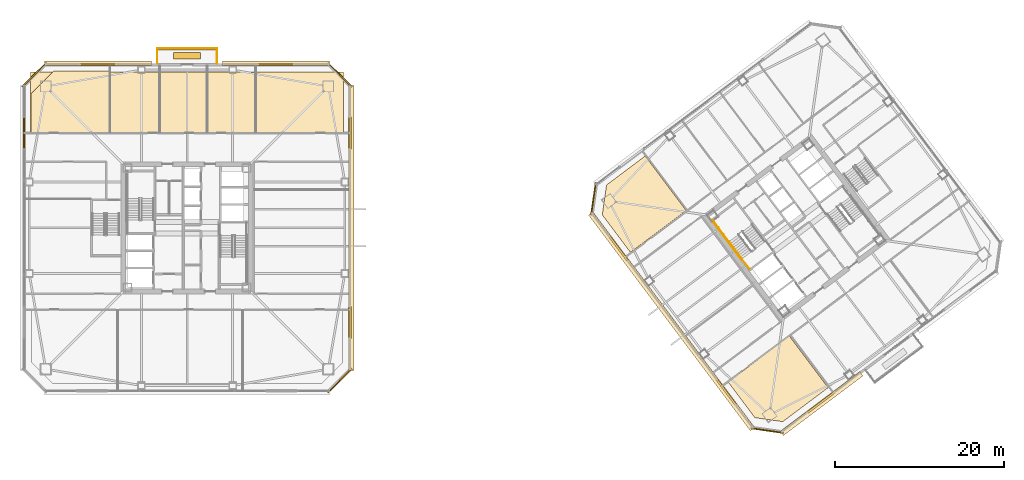
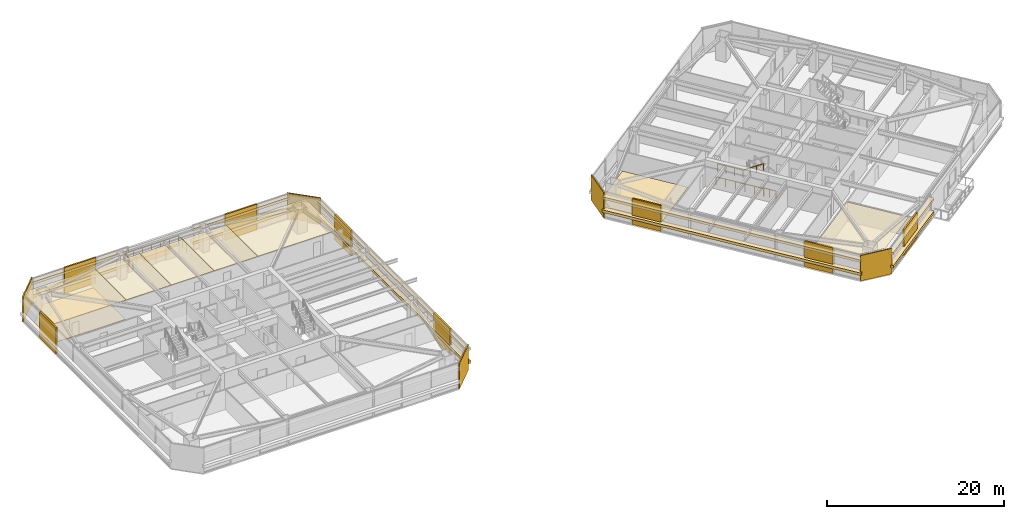
# One storey, part 44 of 46: 33 coverings, 7 railings.
"""IFC4 building model written with IfcOpenShell, lengths in metres."""

import ifcopenshell
import ifcopenshell.guid

model = None  # the IFC model being written
_history = None  # IfcOwnerHistory: only IFC2X3 demands one
_inside = {}  # id of a spatial element -> (the spatial element, [elements in it])
_under = {}  # id of a project, library or spatial element -> (it, [spatial elements below it])
_declared = {}  # id of a project -> (the project, [libraries it declares])
_typed = {}  # id of a type object -> (the type object, [elements of that type])
_made_of = {}  # id of a material, layer set ... -> (it, [elements and type objects made of it])


def new_model(schema):
    """Start an empty IFC model of exactly this schema.

    Asked for "IFC4X3", IfcOpenShell would pick the latest addendum, in which some entities
    have other attributes; the version numbers below select the first issue.
    IFC2X3 requires an IfcOwnerHistory on every rooted entity: one is made here for all.
    """
    global model, _history
    if schema == "IFC4X3":
        model = ifcopenshell.file(schema_version=(4, 3, 0, 0))
    else:
        model = ifcopenshell.file(schema=schema)
    _inside.clear()
    _under.clear()
    _declared.clear()
    _typed.clear()
    _made_of.clear()
    _history = None
    if model.schema == "IFC2X3":
        org = make("IfcOrganization", Name="unknown")
        user = make(
            "IfcPersonAndOrganization",
            ThePerson=make("IfcPerson", FamilyName="unknown"),
            TheOrganization=org,
        )
        app = make(
            "IfcApplication",
            ApplicationDeveloper=org,
            Version="unknown",
            ApplicationFullName="unknown",
            ApplicationIdentifier="unknown",
        )
        _history = make(
            "IfcOwnerHistory",
            OwningUser=user,
            OwningApplication=app,
            ChangeAction="ADDED",
            CreationDate=0,
        )
    return model


def make(cls, **values):
    """One entity of the class cls with the attributes given. An attribute that is None is left unset."""
    return model.create_entity(
        cls, **{name: value for name, value in values.items() if value is not None}
    )


def rooted(cls, **values):
    """An entity with a GlobalId (a new one), such as an element, a storey or a relation."""
    return make(cls, GlobalId=ifcopenshell.guid.new(), OwnerHistory=_history, **values)


def si_unit(unit_type, name, prefix=None):
    """IfcSIUnit, for example si_unit("LENGTHUNIT", "METRE", prefix="MILLI")."""
    return make("IfcSIUnit", UnitType=unit_type, Prefix=prefix, Name=name)


def assignment(units):
    """IfcUnitAssignment: the units of a project."""
    return None if units is None else make("IfcUnitAssignment", Units=units)


def point(xyz):
    """IfcCartesianPoint."""
    return None if xyz is None else make("IfcCartesianPoint", Coordinates=xyz)


def direction(xyz):
    """IfcDirection."""
    return None if xyz is None else make("IfcDirection", DirectionRatios=xyz)


def frame(location, z_axis=None, x_axis=None):
    """IfcAxis2Placement3D, a coordinate frame: its origin and axes. An axis left out is left unset."""
    return make(
        "IfcAxis2Placement3D",
        Location=point(location),
        Axis=direction(z_axis),
        RefDirection=direction(x_axis),
    )


def frame_2d(location, x_axis=None):
    """IfcAxis2Placement2D, a coordinate frame in the plane: its origin and x axis."""
    return make(
        "IfcAxis2Placement2D", Location=point(location), RefDirection=direction(x_axis)
    )


def origin():
    """The frame at (0, 0, 0) with its axes left unset."""
    return frame((0.0, 0.0, 0.0))


def origin_2d():
    """The frame at (0, 0) in the plane with its x axis left unset."""
    return frame_2d((0.0, 0.0))


def place(relative_to, where):
    """IfcLocalPlacement: puts the frame where relative to a parent placement (None: the world)."""
    return make(
        "IfcLocalPlacement", PlacementRelTo=relative_to, RelativePlacement=where
    )


def context(
    kind, dimensions, precision=None, world=None, true_north=None, identifier=None
):
    """IfcGeometricRepresentationContext, for example the 3D "Model" context."""
    return make(
        "IfcGeometricRepresentationContext",
        ContextIdentifier=identifier,
        ContextType=kind,
        CoordinateSpaceDimension=dimensions,
        Precision=precision,
        WorldCoordinateSystem=world,
        TrueNorth=true_north,
    )


def subcontext(parent, identifier, kind, view, scale=None):
    """IfcGeometricRepresentationSubContext, for example "Body" below "Model"."""
    return make(
        "IfcGeometricRepresentationSubContext",
        ContextIdentifier=identifier,
        ContextType=kind,
        ParentContext=parent,
        TargetScale=scale,
        TargetView=view,
    )


def project(units=None, contexts=None):
    """IfcProject with its units and contexts."""
    return rooted(
        "IfcProject",
        Name="project",
        RepresentationContexts=contexts,
        UnitsInContext=assignment(units),
    )


def spatial(cls, under=None, at=None, **own):
    """A site, building, storey or space (cls), placed at a placement, below another one or the project."""
    s = rooted(cls, ObjectPlacement=at, **own)
    if under is not None:
        _under.setdefault(under.id(), (under, []))[1].append(s)
    return s


def polyline(points):
    """IfcPolyline through the points."""
    return make("IfcPolyline", Points=[point(p) for p in points])


def profile(cls, at=None, kind="AREA", **sizes):
    """A parametric profile (cls). Its sizes go by their IFC names, for example OverallWidth=200.0."""
    return make(cls, ProfileType=kind, Position=at, **sizes)


def rectangle(**sizes):
    """IfcRectangleProfileDef."""
    return profile("IfcRectangleProfileDef", **sizes)


def outline(outer, holes=None, kind="AREA"):
    """IfcArbitraryClosedProfileDef: a profile drawn as a closed curve; with holes, ...WithVoids."""
    if holes is None:
        return make("IfcArbitraryClosedProfileDef", ProfileType=kind, OuterCurve=outer)
    return make(
        "IfcArbitraryProfileDefWithVoids",
        ProfileType=kind,
        OuterCurve=outer,
        InnerCurves=holes,
    )


def extrude(swept, where, along, depth):
    """IfcExtrudedAreaSolid: the profile swept, set in the frame where, extruded along a direction by depth."""
    return make(
        "IfcExtrudedAreaSolid",
        SweptArea=swept,
        Position=where,
        ExtrudedDirection=direction(along),
        Depth=depth,
    )


def shape(context_of_items, identifier, shape_type, items):
    """IfcShapeRepresentation: the items that make up one representation, for example the "Body"."""
    return make(
        "IfcShapeRepresentation",
        ContextOfItems=context_of_items,
        RepresentationIdentifier=identifier,
        RepresentationType=shape_type,
        Items=items,
    )


def material(Name=None, Category=None):
    """IfcMaterial."""
    return make("IfcMaterial", Name=Name, Category=Category)


def layer(
    of_material, thickness, ventilated=None, Name=None, Category=None, Priority=None
):
    """IfcMaterialLayer: one layer of a wall or slab, of a material (None: an air gap)."""
    return make(
        "IfcMaterialLayer",
        Material=of_material,
        LayerThickness=thickness,
        IsVentilated=ventilated,
        Name=Name,
        Category=Category,
        Priority=Priority,
    )


def layer_set(layers, Name=None):
    """IfcMaterialLayerSet."""
    return make("IfcMaterialLayerSet", MaterialLayers=layers, LayerSetName=Name)


def made_of(thing, what):
    """Note that an element or type object is made of a material, layer set ...; save() writes the relation."""
    if what is not None:
        _made_of.setdefault(what.id(), (what, []))[1].append(thing)
    return thing


def type_object(cls, material=None, **own):
    """A type object (cls), such as IfcWallType, which elements share."""
    return made_of(rooted(cls, **own), material)


def element(
    cls,
    number,
    at=None,
    inside=None,
    cuts=None,
    type_object=None,
    material=None,
    context=None,
    identifier="Body",
    shape_type=None,
    held_by="IfcProductDefinitionShape",
    body=None,
    shapes=None,
    **own,
):
    """One element of the class cls, such as IfcWall. Its Tag is "e" and its number.

    at: its placement. inside: the storey or other place that contains it. cuts: it is an
    opening in that element (IfcRelVoidsElement). A single representation is given by context,
    identifier, shape_type and body (its items); several are given by shapes. held_by: the class
    of the entity that holds the representations. save() writes the other relations.
    """
    e = rooted(cls, Tag="e%d" % number, ObjectPlacement=at, **own)
    if body is not None:
        shapes = [shape(context, identifier, shape_type, body)]
    if shapes is not None:
        e.Representation = make(held_by, Representations=shapes)
    if inside is not None:
        _inside.setdefault(inside.id(), (inside, []))[1].append(e)
    if cuts is not None:
        rooted(
            "IfcRelVoidsElement", RelatingBuildingElement=cuts, RelatedOpeningElement=e
        )
    if type_object is not None:
        _typed.setdefault(type_object.id(), (type_object, []))[1].append(e)
    return made_of(e, material)


def aggregate(whole, parts):
    """IfcRelAggregates: a whole, such as a stair, and the parts it consists of."""
    return rooted("IfcRelAggregates", RelatingObject=whole, RelatedObjects=parts)


def save(model, path):
    """Write the relations noted so far, then the file.

    IfcRelAggregates (storeys below a building ...), IfcRelContainedInSpatialStructure (elements
    in a storey), IfcRelDefinesByType, IfcRelAssociatesMaterial and IfcRelDeclares: one each for
    every whole, place, type object, material and project.
    """
    for whole, parts in _under.values():
        aggregate(whole, parts)
    for where, things in _inside.values():
        rooted(
            "IfcRelContainedInSpatialStructure",
            RelatedElements=things,
            RelatingStructure=where,
        )
    for kind, things in _typed.values():
        rooted("IfcRelDefinesByType", RelatedObjects=things, RelatingType=kind)
    for what, things in _made_of.values():
        rooted("IfcRelAssociatesMaterial", RelatedObjects=things, RelatingMaterial=what)
    for by, libraries in _declared.values():
        rooted("IfcRelDeclares", RelatingContext=by, RelatedDefinitions=libraries)
    model.write(path)


model = new_model("IFC4")

# Units and contexts
model_context = context("Model", 3, precision=1e-05, world=origin(), true_north=direction((0.0, 1.0)))
body_context = subcontext(model_context, "Body", "Model", "MODEL_VIEW")
ifc_project = project(units=[si_unit("LENGTHUNIT", "METRE"), si_unit("AREAUNIT", "SQUARE_METRE"), si_unit("VOLUMEUNIT", "CUBIC_METRE"), si_unit("PLANEANGLEUNIT", "RADIAN"), si_unit("MASSUNIT", "GRAM", prefix="KILO")], contexts=[model_context])

# Site, building, storey
site_placement = place(None, origin())
site = spatial("IfcSite", under=ifc_project, at=site_placement, CompositionType="ELEMENT")
building_placement = place(site_placement, origin())
building = spatial("IfcBuilding", under=site, at=building_placement, Name="Tashvorn Skyway Center", CompositionType="ELEMENT")
storey_placement = place(building_placement, frame((0.0, 0.0, 139.25)))
storey = spatial("IfcBuildingStorey", under=building, at=storey_placement, Name="L37", CompositionType="ELEMENT", Elevation=139.25)

# Coverings
ifc_material_1 = material(Name="Precast concrete C40/50", Category="concrete")
ifc_layer_1 = layer(ifc_material_1, 0.199951171875)
ifc_layer_set_1 = layer_set([ifc_layer_1], Name="Precast concrete C40/50")
covering_type_1 = type_object("IfcCoveringType", Name="COV-BRACE-CLAD", PredefinedType="CLADDING", material=ifc_layer_set_1)
covering_1_placement = place(storey_placement, frame((22.719970703125, 43.186767578125, 0.0), z_axis=(0.0, 0.0, 1.0), x_axis=(0.0, 1.0, 0.0)))
element("IfcCovering", 1, at=covering_1_placement, inside=storey, type_object=covering_type_1, Name="Tower 1 L37 West Unitised Curtain Wall Mega-Brace Cladding Band 2", PredefinedType="CLADDING", context=body_context, shape_type="SweptSolid", body=[
    extrude(rectangle(XDim=3.72900390625, YDim=0.199951171875, at=origin_2d()), origin(), (0.0, 0.0, 1.0), 3.550048828125),
])
for number, where, z_axis, x_axis, name in (
    (2, (31.485107421875, 51.280029296875, 0.0), (0.0, 0.0, 1.0), (1.0, 0.0, 0.0), "Tower 1 L37 North Curtain Wall L Mega-Brace Cladding Band 1"),
    (3, (52.514892578125, 51.280029296875, 0.0), (0.0, 0.0, 1.0), (1.0, 0.0, 0.0), "Tower 1 L37 North Curtain Wall R Mega-Brace Cladding Band 1"),
):
    element("IfcCovering", number, at=place(storey_placement, frame(where, z_axis=z_axis, x_axis=x_axis)), inside=storey, type_object=covering_type_1, Name=name, PredefinedType="CLADDING", context=body_context, shape_type="SweptSolid", body=[
        extrude(rectangle(XDim=4.176513671875, YDim=0.199951171875, at=origin_2d()), origin(), (0.0, 0.0, 1.0), 3.550048828125),
    ])
for number, where, z_axis, x_axis, name in (
    (4, (61.280029296875, 43.186767578125, 0.0), (0.0, 0.0, 1.0), (0.0, -1.0, 0.0), "Tower 1 L37 East Unitised Curtain Wall Mega-Brace Cladding Band 1"),
    (5, (61.280029296875, 20.813232421875, 0.0), (0.0, 0.0, 1.0), (0.0, -1.0, 0.0), "Tower 1 L37 East Unitised Curtain Wall Mega-Brace Cladding Band 2"),
):
    element("IfcCovering", number, at=place(storey_placement, frame(where, z_axis=z_axis, x_axis=x_axis)), inside=storey, type_object=covering_type_1, Name=name, PredefinedType="CLADDING", context=body_context, shape_type="SweptSolid", body=[
        extrude(rectangle(XDim=3.72900390625, YDim=0.199951171875, at=origin_2d()), origin(), (0.0, 0.0, 1.0), 3.550048828125),
    ])
covering_2_placement = place(storey_placement, frame((116.916015625, 11.3369140625, 0.0), z_axis=(0.0, 0.0, 1.0), x_axis=(-0.799999996291, -0.600000004945, 0.0)))
element("IfcCovering", 6, at=covering_2_placement, inside=storey, type_object=covering_type_1, Name="Tower 2 L37 South Curtain Wall R Mega-Brace Cladding Band 1", PredefinedType="CLADDING", context=body_context, shape_type="SweptSolid", body=[
    extrude(rectangle(XDim=3.876708984375, YDim=0.199951171875, at=origin_2d()), origin(), (0.0, 0.0, 1.0), 3.550048828125),
])
for number, where, z_axis, x_axis, name in (
    (7, (105.72802734375, 12.562744140625, 0.0), (0.0, 0.0, 1.0), (-0.600000004945, 0.799999996291, 0.0), "Tower 2 L37 West Unitised Curtain Wall Mega-Brace Cladding Band 1"),
    (8, (93.02392578125, 29.50146484375, 0.0), (0.0, 0.0, 1.0), (-0.600000004945, 0.799999996291, 0.0), "Tower 2 L37 West Unitised Curtain Wall Mega-Brace Cladding Band 2"),
):
    element("IfcCovering", number, at=place(storey_placement, frame(where, z_axis=z_axis, x_axis=x_axis)), inside=storey, type_object=covering_type_1, Name=name, PredefinedType="CLADDING", context=body_context, shape_type="SweptSolid", body=[
        extrude(rectangle(XDim=3.52880859375, YDim=0.199951171875, at=origin_2d()), origin(), (0.0, 0.0, 1.0), 3.550048828125),
    ])
ifc_material_2 = material(Name="Mineral-fibre acoustic ceiling tile on suspended grid")
ifc_layer_2 = layer(ifc_material_2, 0.02001953125)
ifc_layer_set_2 = layer_set([ifc_layer_2], Name="Mineral-fibre acoustic ceiling tile on suspended grid")
covering_type_2 = type_object("IfcCoveringType", Name="COV-CEIL-20", PredefinedType="CEILING", material=ifc_layer_set_2)
covering_3_placement = place(storey_placement, frame((0.0, 0.0, 2.702880859375)))
element("IfcCovering", 9, at=covering_3_placement, inside=storey, type_object=covering_type_2, Name="Tower 1 L37 Research Library Acoustic Ceiling", PredefinedType="CEILING", context=body_context, shape_type="SweptSolid", body=[
    extrude(outline(polyline([(23.5, 43.199951171875), (32.89990234375, 43.199951171875), (32.89990234375, 50.39990234375), (23.5, 50.39990234375), (23.5, 43.199951171875)])), origin(), (0.0, 0.0, 1.0), 0.02001953125),
])
covering_4_placement = place(storey_placement, frame((0.0, 0.0, 2.702880859375)))
element("IfcCovering", 10, at=covering_4_placement, inside=storey, type_object=covering_type_2, Name="Tower 1 L37 Research Library Acoustic Ceiling", PredefinedType="CEILING", context=body_context, shape_type="SweptSolid", body=[
    extrude(outline(polyline([(32.89990234375, 43.199951171875), (38.800048828125, 43.199951171875), (38.800048828125, 50.39990234375), (32.89990234375, 50.39990234375), (32.89990234375, 43.199951171875)])), origin(), (0.0, 0.0, 1.0), 0.02001953125),
])
covering_5_placement = place(storey_placement, frame((0.0, 0.0, 2.702880859375)))
element("IfcCovering", 11, at=covering_5_placement, inside=storey, type_object=covering_type_2, Name="Tower 1 L37 Security Control Room Acoustic Ceiling", PredefinedType="CEILING", context=body_context, shape_type="SweptSolid", body=[
    extrude(outline(polyline([(38.800048828125, 43.199951171875), (44.39990234375, 43.199951171875), (44.39990234375, 50.39990234375), (38.800048828125, 50.39990234375), (38.800048828125, 43.199951171875)])), origin(), (0.0, 0.0, 1.0), 0.02001953125),
])
covering_6_placement = place(storey_placement, frame((0.0, 0.0, 2.702880859375)))
element("IfcCovering", 12, at=covering_6_placement, inside=storey, type_object=covering_type_2, Name="Tower 1 L37 Research Library Acoustic Ceiling", PredefinedType="CEILING", context=body_context, shape_type="SweptSolid", body=[
    extrude(outline(polyline([(44.39990234375, 43.199951171875), (50.10009765625, 43.199951171875), (50.10009765625, 50.39990234375), (44.39990234375, 50.39990234375), (44.39990234375, 43.199951171875)])), origin(), (0.0, 0.0, 1.0), 0.02001953125),
])
covering_7_placement = place(storey_placement, frame((0.0, 0.0, 2.702880859375)))
element("IfcCovering", 13, at=covering_7_placement, inside=storey, type_object=covering_type_2, Name="Tower 1 L37 Research Library Acoustic Ceiling", PredefinedType="CEILING", context=body_context, shape_type="SweptSolid", body=[
    extrude(outline(polyline([(50.10009765625, 43.199951171875), (60.5, 43.199951171875), (60.5, 50.39990234375), (50.10009765625, 50.39990234375), (50.10009765625, 43.199951171875)])), origin(), (0.0, 0.0, 1.0), 0.02001953125),
])
covering_8_placement = place(storey_placement, frame((0.0, 0.0, 2.702880859375)))
element("IfcCovering", 14, at=covering_8_placement, inside=storey, type_object=covering_type_2, Name="Tower 2 L37 Research Library Acoustic Ceiling", PredefinedType="CEILING", context=body_context, shape_type="SweptSolid", body=[
    extrude(outline(polyline([(105.951904296875, 13.763916015625), (113.199951171875, 19.199951171875), (117.77197265625, 13.10400390625), (112.412109375, 9.083984375), (109.10791015625, 9.555908203125), (105.951904296875, 13.763916015625)])), origin(), (0.0, 0.0, 1.0), 0.02001953125),
])
ifc_material_3 = material(Name="Polished Mojave desert-aggregate terrazzo and cover plate")
ifc_layer_3 = layer(ifc_material_3, 0.0400390625)
ifc_layer_set_3 = layer_set([ifc_layer_3], Name="Polished Mojave desert-aggregate terrazzo and cover plate")
covering_type_3 = type_object("IfcCoveringType", Name="COV-FLR-40", PredefinedType="FLOORING", material=ifc_layer_set_3)
covering_9_placement = place(storey_placement, origin())
element("IfcCovering", 15, at=covering_9_placement, inside=storey, type_object=covering_type_3, Name="Tower 1 L37 Research Library Finish Flooring", PredefinedType="FLOORING", context=body_context, shape_type="SweptSolid", body=[
    extrude(outline(polyline([(32.820068359375, 43.280029296875), (23.580078125, 43.280029296875), (23.580078125, 47.8798828125), (26.199951171875, 50.5), (32.820068359375, 50.5), (32.820068359375, 43.280029296875)])), origin(), (0.0, 0.0, 1.0), 0.0400390625),
])
covering_10_placement = place(storey_placement, origin())
element("IfcCovering", 16, at=covering_10_placement, inside=storey, type_object=covering_type_3, Name="Tower 2 L37 Research Library Finish Flooring", PredefinedType="FLOORING", context=body_context, shape_type="SweptSolid", body=[
    extrude(outline(polyline([(100.998046875, 34.035888671875), (94.406005859375, 29.092041015625), (91.075927734375, 33.531982421875), (91.580078125, 37.06005859375), (96.156005859375, 40.491943359375), (100.998046875, 34.035888671875)])), origin(), (0.0, 0.0, 1.0), 0.0400390625),
])
ifc_material_4 = material(Name="Perforated ceramic-coated bronze aluminium solar screen", Category="aluminium")
ifc_layer_4 = layer(ifc_material_4, 0.85009765625)
ifc_layer_set_4 = layer_set([ifc_layer_4], Name="Perforated ceramic-coated bronze aluminium solar screen")
covering_type_4 = type_object("IfcCoveringType", Name="COV-SOLAR-BAND", PredefinedType="CLADDING", material=ifc_layer_set_4)
for number, where, z_axis, x_axis, name in (
    (17, (31.485107421875, 51.419921875, 0.919921875), (0.0, 0.0, 1.0), (1.0, 0.0, 0.0), "L37 Perforated Ceramic-Metal Solar Screen Louvre Band North 1"),
    (18, (31.485107421875, 51.419921875, 2.7197265625), (0.0, 0.0, 1.0), (1.0, 0.0, 0.0), "L37 Perforated Ceramic-Metal Solar Screen Louvre Band North 2"),
    (19, (52.514892578125, 51.419921875, 0.919921875), (0.0, 0.0, 1.0), (1.0, 0.0, 0.0), "L37 Perforated Ceramic-Metal Solar Screen Louvre Band North 1"),
    (20, (52.514892578125, 51.419921875, 2.7197265625), (0.0, 0.0, 1.0), (1.0, 0.0, 0.0), "L37 Perforated Ceramic-Metal Solar Screen Louvre Band North 2"),
):
    element("IfcCovering", number, at=place(storey_placement, frame(where, z_axis=z_axis, x_axis=x_axis)), inside=storey, type_object=covering_type_4, Name=name, PredefinedType="CLADDING", context=body_context, shape_type="SweptSolid", body=[
        extrude(rectangle(XDim=12.64990234375, YDim=0.639892578125, at=origin_2d()), origin(), (0.0, 0.0, 1.0), 0.360107421875),
    ])
for number, where, z_axis, x_axis, name in (
    (21, (61.419921875, 32.0, 0.919921875), (0.0, 0.0, 1.0), (0.0, -1.0, 0.0), "L37 Perforated Ceramic-Metal Solar Screen Louvre Band East 1"),
    (22, (61.419921875, 32.0, 2.7197265625), (0.0, 0.0, 1.0), (0.0, -1.0, 0.0), "L37 Perforated Ceramic-Metal Solar Screen Louvre Band East 2"),
):
    element("IfcCovering", number, at=place(storey_placement, frame(where, z_axis=z_axis, x_axis=x_axis)), inside=storey, type_object=covering_type_4, Name=name, PredefinedType="CLADDING", context=body_context, shape_type="SweptSolid", body=[
        extrude(rectangle(XDim=33.679931640625, YDim=0.639892578125, at=origin_2d()), origin(), (0.0, 0.0, 1.0), 0.360107421875),
    ])
for number, where, z_axis, x_axis, name in (
    (23, (117.0, 11.22509765625, 0.919921875), (0.0, 0.0, 1.0), (-0.799999996291, -0.600000004945, 0.0), "L37 Perforated Ceramic-Metal Solar Screen Louvre Band South 1"),
    (24, (117.0, 11.22509765625, 2.7197265625), (0.0, 0.0, 1.0), (-0.799999996291, -0.600000004945, 0.0), "L37 Perforated Ceramic-Metal Solar Screen Louvre Band South 2"),
):
    element("IfcCovering", number, at=place(storey_placement, frame(where, z_axis=z_axis, x_axis=x_axis)), inside=storey, type_object=covering_type_4, Name=name, PredefinedType="CLADDING", context=body_context, shape_type="SweptSolid", body=[
        extrude(rectangle(XDim=11.75, YDim=0.639892578125, at=origin_2d()), origin(), (0.0, 0.0, 1.0), 0.360107421875),
    ])
for number, where, z_axis, x_axis, name in (
    (25, (99.263916015625, 20.947998046875, 0.919921875), (0.0, 0.0, 1.0), (-0.600000004945, 0.799999996291, 0.0), "L37 Perforated Ceramic-Metal Solar Screen Louvre Band West 1"),
    (26, (99.263916015625, 20.947998046875, 2.7197265625), (0.0, 0.0, 1.0), (-0.600000004945, 0.799999996291, 0.0), "L37 Perforated Ceramic-Metal Solar Screen Louvre Band West 2"),
):
    element("IfcCovering", number, at=place(storey_placement, frame(where, z_axis=z_axis, x_axis=x_axis)), inside=storey, type_object=covering_type_4, Name=name, PredefinedType="CLADDING", context=body_context, shape_type="SweptSolid", body=[
        extrude(rectangle(XDim=31.8798828125, YDim=0.639892578125, at=origin_2d()), origin(), (0.0, 0.0, 1.0), 0.360107421875),
    ])
ifc_layer_5 = layer(ifc_material_1, 0.35009765625)
ifc_layer_set_5 = layer_set([ifc_layer_5], Name="Precast concrete C40/50")
covering_type_5 = type_object("IfcCoveringType", Name="COV-STONE-TRIM", PredefinedType="CLADDING", material=ifc_layer_set_5)
covering_11_placement = place(storey_placement, frame((42.0, 53.159912109375, -0.16015625), z_axis=(0.0, 0.0, 1.0), x_axis=(1.0, 0.0, 0.0)))
element("IfcCovering", 27, at=covering_11_placement, inside=storey, type_object=covering_type_5, Name="Tower 1 L37 Spiral Terrace Terracotta Fascia", PredefinedType="CLADDING", context=body_context, shape_type="SweptSolid", body=[
    extrude(rectangle(XDim=7.199951171875, YDim=0.280029296875, at=origin_2d()), origin(), (0.0, 0.0, 1.0), 0.280029296875),
])
covering_12_placement = place(storey_placement, frame((42.0, 52.35009765625, 0.0), z_axis=(0.0, 0.0, 1.0), x_axis=(1.0, 0.0, 0.0)))
element("IfcCovering", 28, at=covering_12_placement, inside=storey, type_object=covering_type_5, Name="Tower 1 L37 Spiral Terrace Planter", PredefinedType="CLADDING", context=body_context, shape_type="SweptSolid", body=[
    extrude(rectangle(XDim=3.199951171875, YDim=0.75, at=origin_2d()), origin(), (0.0, 0.0, 1.0), 0.679931640625),
])
for number, where, z_axis, x_axis, name in (
    (29, (23.929931640625, 50.070068359375, 0.02001953125), (0.0, 0.0, 1.0), (-0.707106781187, -0.707106781187, 0.0), "Tower 1 L37 NW Mojave Limestone Corner Quoin"),
    (30, (60.070068359375, 50.070068359375, 0.02001953125), (0.0, 0.0, 1.0), (0.707106781187, -0.707106781187, 0.0), "Tower 1 L37 NE Mojave Limestone Corner Quoin"),
    (31, (60.070068359375, 13.929931640625, 0.02001953125), (0.0, 0.0, 1.0), (0.707106781187, 0.707106781187, 0.0), "Tower 1 L37 SE Mojave Limestone Corner Quoin"),
):
    element("IfcCovering", number, at=place(storey_placement, frame(where, z_axis=z_axis, x_axis=x_axis)), inside=storey, type_object=covering_type_5, Name=name, PredefinedType="CLADDING", context=body_context, shape_type="SweptSolid", body=[
        extrude(rectangle(XDim=3.978515625, YDim=0.139892578125, at=origin_2d()), origin(), (0.0, 0.0, 1.0), 3.510009765625),
    ])
for number, where, z_axis, x_axis, name in (
    (32, (110.575927734375, 8.031982421875, 0.02001953125), (0.0, 0.0, 1.0), (-0.989949494535, 0.141421350118, 0.0), "Tower 2 L37 SW Mojave Limestone Corner Quoin"),
    (33, (90.031982421875, 35.424072265625, 0.02001953125), (0.0, 0.0, 1.0), (-0.141421350118, -0.989949494535, 0.0), "Tower 2 L37 NW Mojave Limestone Corner Quoin"),
):
    element("IfcCovering", number, at=place(storey_placement, frame(where, z_axis=z_axis, x_axis=x_axis)), inside=storey, type_object=covering_type_5, Name=name, PredefinedType="CLADDING", context=body_context, shape_type="SweptSolid", body=[
        extrude(rectangle(XDim=3.8369140625, YDim=0.139892578125, at=origin_2d()), origin(), (0.0, 0.0, 1.0), 3.510009765625),
    ])

# Railings
ifc_material_5 = material(Name="Galvanized steel S355", Category="steel")
railing_type_1 = type_object("IfcRailingType", Name="RAIL-GUARD-1120", PredefinedType="GUARDRAIL", material=ifc_material_5)
railing_1_placement = place(storey_placement, frame((38.47998046875, 51.39990234375, 0.0)))
element("IfcRailing", 34, at=railing_1_placement, inside=storey, type_object=railing_type_1, Name="L37 Tower 1 Terrace Guardrail 01", PredefinedType="GUARDRAIL", context=body_context, shape_type="SweptSolid", body=[
    extrude(rectangle(XDim=0.048095703125, YDim=0.048095703125, at=origin_2d()), frame((0.0, 0.0, 1.09619140625), z_axis=(0.0, 1.0, 0.0), x_axis=(-1.0, 0.0, 0.0)), (0.0, 0.0, 1.0), 1.820068359375),
    extrude(rectangle(XDim=0.0419921875, YDim=0.0419921875, at=origin_2d()), origin(), (0.0, 0.0, 1.0), 1.072021484375),
    extrude(rectangle(XDim=0.0419921875, YDim=0.0419921875, at=origin_2d()), frame((0.0, 0.91015625, 0.0)), (0.0, 0.0, 1.0), 1.072021484375),
    extrude(rectangle(XDim=0.0419921875, YDim=0.0419921875, at=origin_2d()), frame((0.0, 1.820068359375, 0.0)), (0.0, 0.0, 1.0), 1.072021484375),
])
railing_2_placement = place(storey_placement, frame((38.47998046875, 53.219970703125, 0.0)))
element("IfcRailing", 35, at=railing_2_placement, inside=storey, type_object=railing_type_1, Name="L37 Tower 1 Terrace Guardrail 02", PredefinedType="GUARDRAIL", context=body_context, shape_type="SweptSolid", body=[
    extrude(rectangle(XDim=0.048095703125, YDim=0.048095703125, at=origin_2d()), frame((0.0, 0.0, 1.09619140625), z_axis=(1.0, 0.0, 0.0), x_axis=(0.0, 1.0, 0.0)), (0.0, 0.0, 1.0), 7.0400390625),
    extrude(rectangle(XDim=0.0419921875, YDim=0.0419921875, at=origin_2d()), origin(), (0.0, 0.0, 1.0), 1.072021484375),
    extrude(rectangle(XDim=0.0419921875, YDim=0.0419921875, at=origin_2d()), frame((1.17333984375, 0.0, 0.0)), (0.0, 0.0, 1.0), 1.072021484375),
    extrude(rectangle(XDim=0.0419921875, YDim=0.0419921875, at=origin_2d()), frame((2.3466796875, 0.0, 0.0)), (0.0, 0.0, 1.0), 1.072021484375),
    extrude(rectangle(XDim=0.0419921875, YDim=0.0419921875, at=origin_2d()), frame((3.52001953125, 0.0, 0.0)), (0.0, 0.0, 1.0), 1.072021484375),
    extrude(rectangle(XDim=0.0419921875, YDim=0.0419921875, at=origin_2d()), frame((4.693359375, 0.0, 0.0)), (0.0, 0.0, 1.0), 1.072021484375),
    extrude(rectangle(XDim=0.0419921875, YDim=0.0419921875, at=origin_2d()), frame((5.86669921875, 0.0, 0.0)), (0.0, 0.0, 1.0), 1.072021484375),
    extrude(rectangle(XDim=0.0419921875, YDim=0.0419921875, at=origin_2d()), frame((7.0400390625, 0.0, 0.0)), (0.0, 0.0, 1.0), 1.072021484375),
])
railing_3_placement = place(storey_placement, frame((45.52001953125, 53.219970703125, 0.0)))
element("IfcRailing", 36, at=railing_3_placement, inside=storey, type_object=railing_type_1, Name="L37 Tower 1 Terrace Guardrail 03", PredefinedType="GUARDRAIL", context=body_context, shape_type="SweptSolid", body=[
    extrude(rectangle(XDim=0.048095703125, YDim=0.048095703125, at=origin_2d()), frame((0.0, 0.0, 1.09619140625), z_axis=(0.0, -1.0, 0.0), x_axis=(1.0, 0.0, 0.0)), (0.0, 0.0, 1.0), 1.820068359375),
    extrude(rectangle(XDim=0.0419921875, YDim=0.0419921875, at=origin_2d()), origin(), (0.0, 0.0, 1.0), 1.072021484375),
    extrude(rectangle(XDim=0.0419921875, YDim=0.0419921875, at=origin_2d()), frame((0.0, -0.91015625, 0.0)), (0.0, 0.0, 1.0), 1.072021484375),
    extrude(rectangle(XDim=0.0419921875, YDim=0.0419921875, at=origin_2d()), frame((0.0, -1.820068359375, 0.0)), (0.0, 0.0, 1.0), 1.072021484375),
])
ifc_material_6 = material(Name="Brushed stainless steel 316", Category="steel")
railing_type_2 = type_object("IfcRailingType", Name="RAIL-HAND-920", PredefinedType="HANDRAIL", material=ifc_material_6)
railing_4_placement = place(storey_placement, frame((106.072021484375, 30.35400390625, 1.952392578125)))
element("IfcRailing", 37, at=railing_4_placement, inside=storey, type_object=railing_type_2, Name="L37 ST-T2-1 stair handrail 2", PredefinedType="HANDRAIL", context=body_context, shape_type="SweptSolid", body=[
    extrude(rectangle(XDim=0.048095703125, YDim=0.048095703125, at=origin_2d()), frame((0.0, 0.0, 0.8759765625), z_axis=(0.506718600913, -0.675679348675, 0.535437836974), x_axis=(0.800023250257, 0.599968998406, 0.0)), (0.0, 0.0, 1.0), 2.98388671875),
    extrude(rectangle(XDim=0.0419921875, YDim=0.0419921875, at=origin_2d()), origin(), (0.0, 0.0, 1.0), 0.851806640625),
    extrude(rectangle(XDim=0.0419921875, YDim=0.0419921875, at=origin_2d()), frame((0.50390625, -0.672119140625, 0.532470703125)), (0.0, 0.0, 1.0), 0.851806640625),
    extrude(rectangle(XDim=0.0419921875, YDim=0.0419921875, at=origin_2d()), frame((1.008056640625, -1.343994140625, 1.065185546875)), (0.0, 0.0, 1.0), 0.851806640625),
    extrude(rectangle(XDim=0.0419921875, YDim=0.0419921875, at=origin_2d()), frame((1.511962890625, -2.01611328125, 1.59765625)), (0.0, 0.0, 1.0), 0.851806640625),
])
ifc_material_7 = material(Name="Painted galvanized steel S355", Category="steel")
railing_type_3 = type_object("IfcRailingType", Name="RAIL-STGUARD-1100", PredefinedType="GUARDRAIL", material=ifc_material_7)
railing_5_placement = place(storey_placement, frame((106.072021484375, 30.35400390625, 1.77490234375)))
element("IfcRailing", 38, at=railing_5_placement, inside=storey, type_object=railing_type_3, Name="L37 ST-T2-1 stair guard 3", PredefinedType="GUARDRAIL", context=body_context, shape_type="SweptSolid", body=[
    extrude(rectangle(XDim=0.048095703125, YDim=0.048095703125, at=origin_2d()), frame((0.0, 0.0, 1.076171875), z_axis=(-0.599987638607, 0.800009270896, 0.0), x_axis=(-0.800009270896, -0.599987638607, 0.0)), (0.0, 0.0, 1.0), 3.16015625),
    extrude(rectangle(XDim=0.0419921875, YDim=0.0419921875, at=origin_2d()), origin(), (0.0, 0.0, 1.0), 1.052001953125),
    extrude(rectangle(XDim=0.0419921875, YDim=0.0419921875, at=origin_2d()), frame((-0.632080078125, 0.8427734375, 0.0)), (0.0, 0.0, 1.0), 1.052001953125),
    extrude(rectangle(XDim=0.0419921875, YDim=0.0419921875, at=origin_2d()), frame((-1.263916015625, 1.685302734375, 0.0)), (0.0, 0.0, 1.0), 1.052001953125),
    extrude(rectangle(XDim=0.0419921875, YDim=0.0419921875, at=origin_2d()), frame((-1.89599609375, 2.528076171875, 0.0)), (0.0, 0.0, 1.0), 1.052001953125),
])
railing_6_placement = place(storey_placement, frame((108.49609375, 27.1220703125, 0.0)))
element("IfcRailing", 39, at=railing_6_placement, inside=storey, type_object=railing_type_3, Name="L37 ST-T2-1 stair guard 6", PredefinedType="GUARDRAIL", context=body_context, shape_type="SweptSolid", body=[
    extrude(rectangle(XDim=0.048095703125, YDim=0.048095703125, at=origin_2d()), frame((0.0, 0.0, 1.076171875), z_axis=(-0.600102796382, 0.799922892393, 0.0), x_axis=(-0.799922892393, -0.600102796382, 0.0)), (0.0, 0.0, 1.0), 1.52001953125),
    extrude(rectangle(XDim=0.0419921875, YDim=0.0419921875, at=origin_2d()), origin(), (0.0, 0.0, 1.0), 1.052001953125),
    extrude(rectangle(XDim=0.0419921875, YDim=0.0419921875, at=origin_2d()), frame((-0.4560546875, 0.60791015625, 0.0)), (0.0, 0.0, 1.0), 1.052001953125),
    extrude(rectangle(XDim=0.0419921875, YDim=0.0419921875, at=origin_2d()), frame((-0.912109375, 1.2158203125, 0.0)), (0.0, 0.0, 1.0), 1.052001953125),
])
railing_7_placement = place(storey_placement, frame((107.56396484375, 28.197998046875, 0.0)))
element("IfcRailing", 40, at=railing_7_placement, inside=storey, type_object=railing_type_3, Name="L37 ST-T2-1 stair guard 7", PredefinedType="GUARDRAIL", context=body_context, shape_type="SweptSolid", body=[
    extrude(rectangle(XDim=0.048095703125, YDim=0.048095703125, at=origin_2d()), frame((0.0, 0.0, 1.076171875), z_axis=(-0.6, 0.8, 0.0), x_axis=(-0.8, -0.6, 0.0)), (0.0, 0.0, 1.0), 5.880126953125),
    extrude(rectangle(XDim=0.0419921875, YDim=0.0419921875, at=origin_2d()), origin(), (0.0, 0.0, 1.0), 1.052001953125),
    extrude(rectangle(XDim=0.0419921875, YDim=0.0419921875, at=origin_2d()), frame((-0.70556640625, 0.94091796875, 0.0)), (0.0, 0.0, 1.0), 1.052001953125),
    extrude(rectangle(XDim=0.0419921875, YDim=0.0419921875, at=origin_2d()), frame((-1.4111328125, 1.881591796875, 0.0)), (0.0, 0.0, 1.0), 1.052001953125),
    extrude(rectangle(XDim=0.0419921875, YDim=0.0419921875, at=origin_2d()), frame((-2.116943359375, 2.822509765625, 0.0)), (0.0, 0.0, 1.0), 1.052001953125),
    extrude(rectangle(XDim=0.0419921875, YDim=0.0419921875, at=origin_2d()), frame((-2.822509765625, 3.76318359375, 0.0)), (0.0, 0.0, 1.0), 1.052001953125),
    extrude(rectangle(XDim=0.0419921875, YDim=0.0419921875, at=origin_2d()), frame((-3.528076171875, 4.7041015625, 0.0)), (0.0, 0.0, 1.0), 1.052001953125),
])

save(model, "model.ifc")
